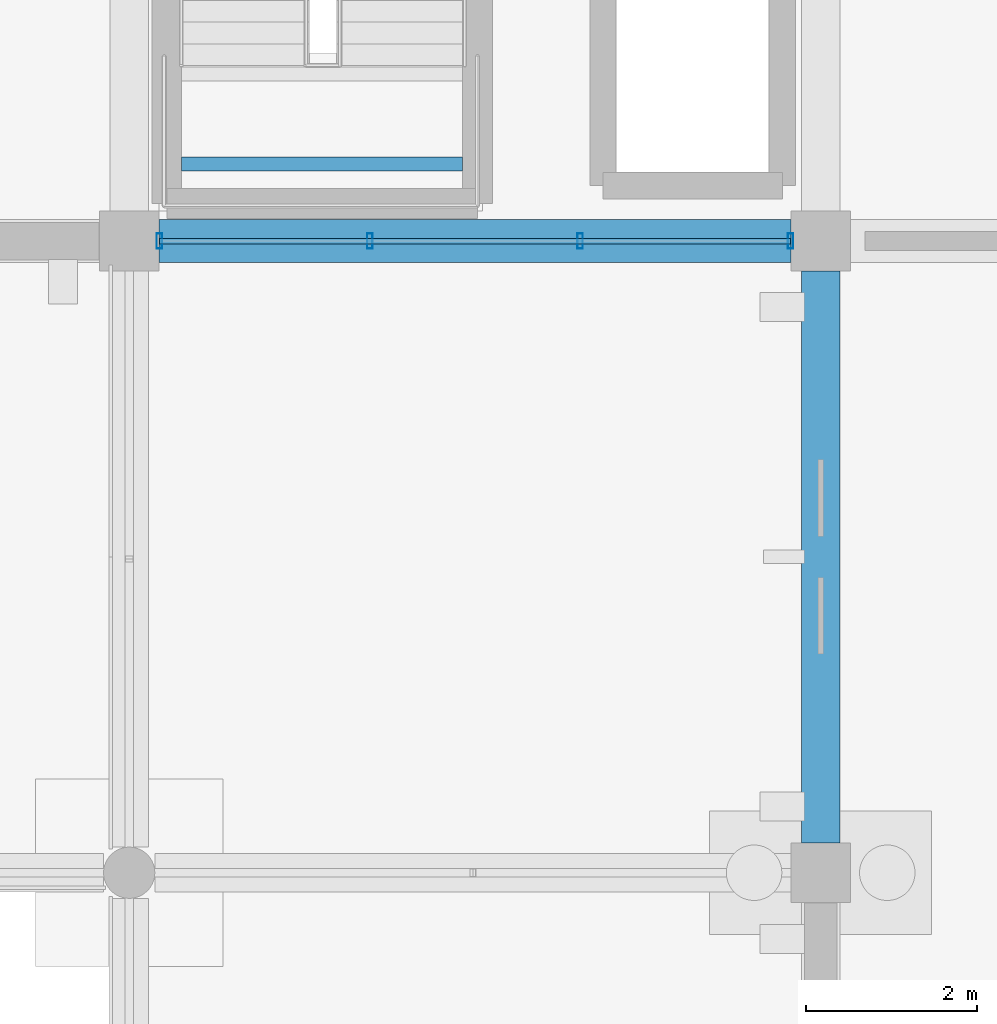
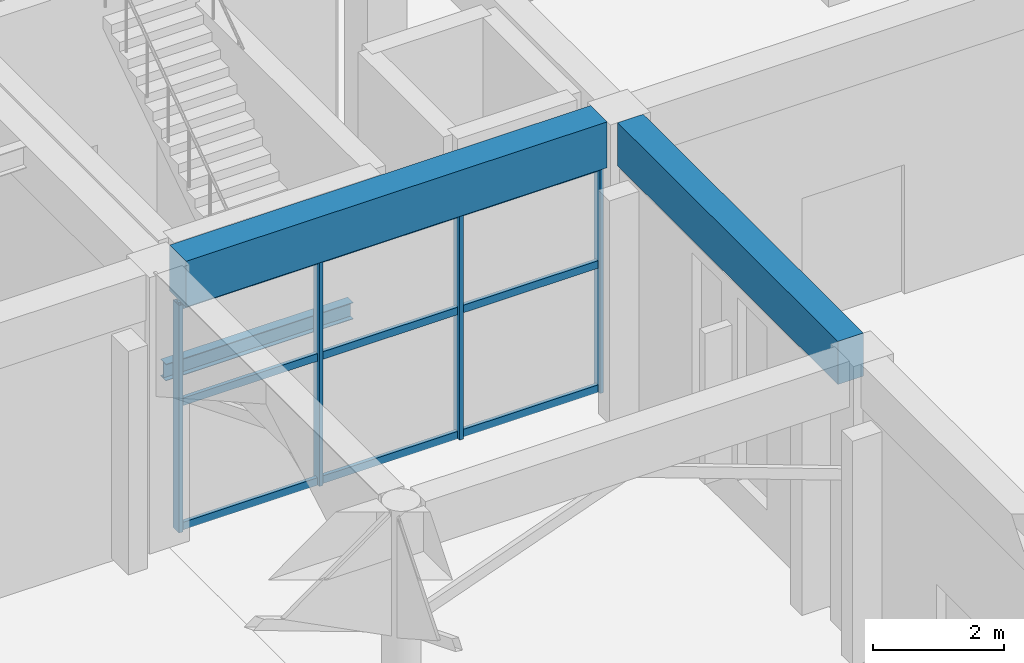
# One storey, part 35 of 140: 7 members, 3 beams, 1 element without a shape of its own.
"""IFC4 building model written with IfcOpenShell, lengths in metres."""

from ifc_helpers import new_model, si_unit, direction, frame, origin, origin_2d, place, context, subcontext, project, spatial, rectangle, hollow_rectangle, i_section, extrude, material, material_profile, profile_set, type_object, element, aggregate, save


model = new_model("IFC4")

# Units and contexts
model_context = context("Model", 3, precision=1e-05, world=origin(), true_north=direction((0.0, 1.0)))
body_context = subcontext(model_context, "Body", "Model", "MODEL_VIEW")
ifc_project = project(units=[si_unit("LENGTHUNIT", "METRE"), si_unit("AREAUNIT", "SQUARE_METRE"), si_unit("VOLUMEUNIT", "CUBIC_METRE"), si_unit("PLANEANGLEUNIT", "RADIAN"), si_unit("MASSUNIT", "GRAM", prefix="KILO")], contexts=[model_context])

# Site, building, storey
site_placement = place(None, origin())
site = spatial("IfcSite", under=ifc_project, at=site_placement, CompositionType="ELEMENT")
building_placement = place(site_placement, origin())
building = spatial("IfcBuilding", under=site, at=building_placement, Name="Cimatlan Art Gallery", CompositionType="ELEMENT")
storey_placement = place(building_placement, origin())
storey = spatial("IfcBuildingStorey", under=building, at=storey_placement, Name="L00", CompositionType="ELEMENT", Elevation=0.0)

# Beams
ifc_material_1 = material(Name="Concrete C40/50", Category="concrete")
ifc_material_profile_1 = material_profile(ifc_material_1, rectangle(XDim=0.449951171875, YDim=0.800048828125, at=origin_2d()), Name="RC450X800")
ifc_profile_set_1 = profile_set([ifc_material_profile_1], Name="Concrete C40/50")
beam_type_1 = type_object("IfcBeamType", Name="BM-RC-450X800", PredefinedType="BEAM", material=ifc_profile_set_1)
beam_1_placement = place(storey_placement, frame((123.5, 16.85009765625, 4.735107421875), z_axis=(0.0, 1.0, 0.0), x_axis=(-1.0, 0.0, 0.0)))
element("IfcBeam", 1, at=beam_1_placement, inside=storey, type_object=beam_type_1, Name="BM-Y-L00-15-02", PredefinedType="BEAM", context=body_context, shape_type="SweptSolid", body=[
    extrude(rectangle(XDim=0.449951171875, YDim=0.800048828125, at=origin_2d()), origin(), (0.0, 0.0, 1.0), 6.699951171875),
])
ifc_material_profile_2 = material_profile(ifc_material_1, rectangle(XDim=0.5, YDim=0.85009765625, at=origin_2d()), Name="RC500X850")
ifc_profile_set_2 = profile_set([ifc_material_profile_2], Name="Concrete C40/50")
beam_type_2 = type_object("IfcBeamType", Name="BM-RC-500X850", PredefinedType="BEAM", material=ifc_profile_set_2)
beam_2_placement = place(storey_placement, frame((115.75, 23.89990234375, 4.7099609375), z_axis=(1.0, 0.0, 0.0), x_axis=(0.0, 1.0, 0.0)))
element("IfcBeam", 2, at=beam_2_placement, inside=storey, type_object=beam_type_2, Name="BM-X-L00-14-03", PredefinedType="BEAM", context=body_context, shape_type="SweptSolid", body=[
    extrude(rectangle(XDim=0.5, YDim=0.85009765625, at=origin_2d()), origin(), (0.0, 0.0, 1.0), 7.39990234375),
])
ifc_material_2 = material(Name="Steel ASTM A992 Grade 50", Category="steel")
ifc_material_profile_3 = material_profile(ifc_material_2, i_section(OverallWidth=0.1650390625, OverallDepth=0.31005859375, WebThickness=0.005859375, FlangeThickness=0.009765625, at=origin_2d()), Name="W12X26")
ifc_profile_set_3 = profile_set([ifc_material_profile_3], Name="Steel ASTM A992 Grade 50")
beam_type_3 = type_object("IfcBeamType", Name="BM-STL-W12X26", PredefinedType="JOIST", material=ifc_profile_set_3)
beam_3_placement = place(storey_placement, frame((116.014892578125, 24.800048828125, 2.324951171875), z_axis=(1.0, 0.0, 0.0), x_axis=(0.0, 1.0, 0.0)))
element("IfcBeam", 3, at=beam_3_placement, inside=storey, type_object=beam_type_3, Name="BM-STR-C4-L00-LH1", PredefinedType="JOIST", context=body_context, shape_type="SweptSolid", body=[
    extrude(i_section(OverallWidth=0.1650390625, OverallDepth=0.31005859375, WebThickness=0.005859375, FlangeThickness=0.009765625, at=origin_2d()), origin(), (0.0, 0.0, 1.0), 3.2900390625),
])

# Curtain wall, members
ifc_material_3 = material(Name="Anodised bronze unitised curtain wall")
curtain_wall_type = type_object("IfcCurtainWallType", Name="CW-V-07392X04225-B3", PredefinedType="NOTDEFINED", material=ifc_material_3)
curtain_wall_placement = place(storey_placement, origin())
curtain_wall = element("IfcCurtainWall", 4, at=curtain_wall_placement, inside=storey, type_object=curtain_wall_type, Name="CW-L00-14-03-S", PredefinedType="NOTDEFINED")
ifc_material_4 = material(Name="Anodised bronze aluminium 6063-T6", Category="aluminium")
ifc_material_profile_4 = material_profile(ifc_material_4, hollow_rectangle(XDim=0.06494140625, YDim=0.179931640625, WallThickness=0.00390625, at=origin_2d()), Name="ALU65X180X4")
ifc_profile_set_4 = profile_set([ifc_material_profile_4], Name="Anodised bronze aluminium 6063-T6")
member_type_1 = type_object("IfcMemberType", Name="CW-MUL-180", PredefinedType="MULLION", material=ifc_profile_set_4)
member_1_placement = place(storey_placement, frame((123.14599609375, 23.89990234375, 0.0), z_axis=(0.0, 0.0, 1.0), x_axis=(1.0, 0.0, 0.0)))
member_1 = element("IfcMember", 5, at=member_1_placement, type_object=member_type_1, Name="CW-L00-14-03-S-M1", PredefinedType="MULLION", context=body_context, shape_type="SweptSolid", body=[
    extrude(hollow_rectangle(XDim=0.06494140625, YDim=0.179931640625, WallThickness=0.00390625, at=origin_2d()), origin(), (0.0, 0.0, 1.0), 4.22509765625),
])
member_2_placement = place(storey_placement, frame((120.681884765625, 23.89990234375, 0.0), z_axis=(0.0, 0.0, 1.0), x_axis=(1.0, 0.0, 0.0)))
member_2 = element("IfcMember", 6, at=member_2_placement, type_object=member_type_1, Name="CW-L00-14-03-S-M2", PredefinedType="MULLION", context=body_context, shape_type="SweptSolid", body=[
    extrude(hollow_rectangle(XDim=0.06494140625, YDim=0.179931640625, WallThickness=0.00390625, at=origin_2d()), origin(), (0.0, 0.0, 1.0), 4.22509765625),
])
member_3_placement = place(storey_placement, frame((118.218017578125, 23.89990234375, 0.0), z_axis=(0.0, 0.0, 1.0), x_axis=(1.0, 0.0, 0.0)))
member_3 = element("IfcMember", 7, at=member_3_placement, type_object=member_type_1, Name="CW-L00-14-03-S-M3", PredefinedType="MULLION", context=body_context, shape_type="SweptSolid", body=[
    extrude(hollow_rectangle(XDim=0.06494140625, YDim=0.179931640625, WallThickness=0.00390625, at=origin_2d()), origin(), (0.0, 0.0, 1.0), 4.22509765625),
])
member_4_placement = place(storey_placement, frame((115.75390625, 23.89990234375, 0.0), z_axis=(0.0, 0.0, 1.0), x_axis=(1.0, 0.0, 0.0)))
member_4 = element("IfcMember", 8, at=member_4_placement, type_object=member_type_1, Name="CW-L00-14-03-S-M4", PredefinedType="MULLION", context=body_context, shape_type="SweptSolid", body=[
    extrude(hollow_rectangle(XDim=0.06494140625, YDim=0.179931640625, WallThickness=0.00390625, at=origin_2d()), origin(), (0.0, 0.0, 1.0), 4.22509765625),
])
ifc_material_profile_5 = material_profile(ifc_material_4, hollow_rectangle(XDim=0.06494140625, YDim=0.139892578125, WallThickness=0.00390625, at=origin_2d()), Name="ALU65X140X4")
ifc_profile_set_5 = profile_set([ifc_material_profile_5], Name="Anodised bronze aluminium 6063-T6")
member_type_2 = type_object("IfcMemberType", Name="CW-TRN-140", PredefinedType="USERDEFINED", material=ifc_profile_set_5)
member_5_placement = place(storey_placement, frame((123.14599609375, 23.89990234375, 0.06005859375), z_axis=(-1.0, 0.0, 0.0), x_axis=(0.0, -1.0, 0.0)))
member_5 = element("IfcMember", 9, at=member_5_placement, type_object=member_type_2, Name="CW-L00-14-03-S-T1", ObjectType="TRANSOM", PredefinedType="USERDEFINED", context=body_context, shape_type="SweptSolid", body=[
    extrude(hollow_rectangle(XDim=0.06494140625, YDim=0.139892578125, WallThickness=0.00390625, at=origin_2d()), origin(), (0.0, 0.0, 1.0), 7.39208984375),
])
member_6_placement = place(storey_placement, frame((123.14599609375, 23.89990234375, 2.365966796875), z_axis=(-1.0, 0.0, 0.0), x_axis=(0.0, -1.0, 0.0)))
member_6 = element("IfcMember", 10, at=member_6_placement, type_object=member_type_2, Name="CW-L00-14-03-S-T2", ObjectType="TRANSOM", PredefinedType="USERDEFINED", context=body_context, shape_type="SweptSolid", body=[
    extrude(hollow_rectangle(XDim=0.06494140625, YDim=0.139892578125, WallThickness=0.00390625, at=origin_2d()), origin(), (0.0, 0.0, 1.0), 7.39208984375),
])
member_7_placement = place(storey_placement, frame((123.14599609375, 23.89990234375, 4.1650390625), z_axis=(-1.0, 0.0, 0.0), x_axis=(0.0, -1.0, 0.0)))
member_7 = element("IfcMember", 11, at=member_7_placement, type_object=member_type_2, Name="CW-L00-14-03-S-T3", ObjectType="TRANSOM", PredefinedType="USERDEFINED", context=body_context, shape_type="SweptSolid", body=[
    extrude(hollow_rectangle(XDim=0.06494140625, YDim=0.139892578125, WallThickness=0.00390625, at=origin_2d()), origin(), (0.0, 0.0, 1.0), 7.39208984375),
])
aggregate(curtain_wall, [member_1, member_2, member_3, member_4, member_5, member_6, member_7])

save(model, "model.ifc")
